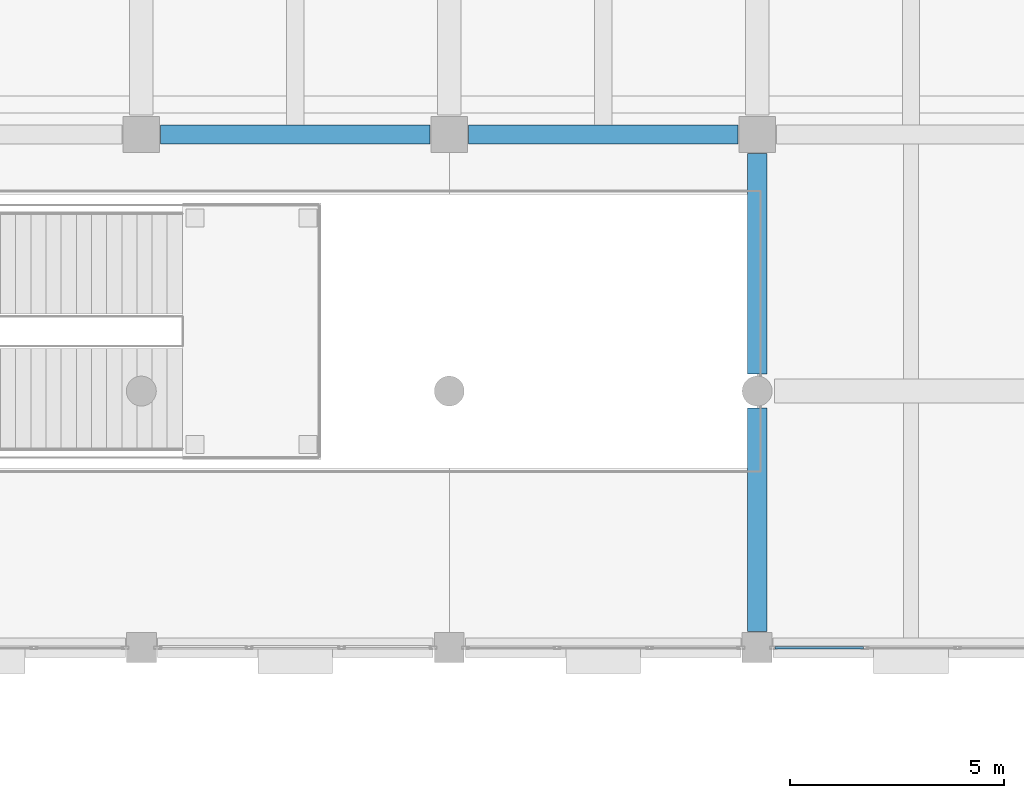
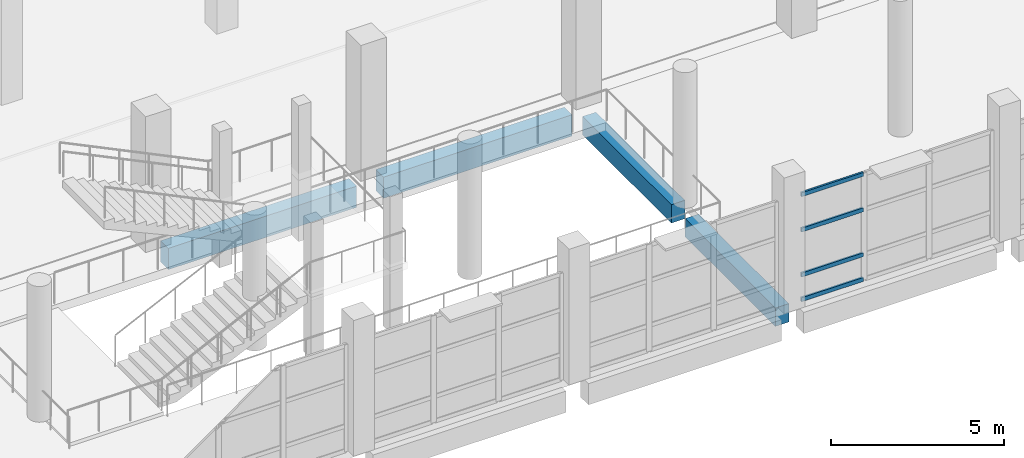
# One storey, part 36 of 91: 4 beams, 4 members, 1 element without a shape of its own.
"""IFC4 building model written with IfcOpenShell, lengths in metres."""

from ifc_helpers import new_model, si_unit, direction, frame, origin, origin_2d, place, context, subcontext, project, spatial, rectangle, hollow_rectangle, extrude, material, material_profile, profile_set, type_object, element, aggregate, save


model = new_model("IFC4")

# Units and contexts
model_context = context("Model", 3, precision=1e-05, world=origin(), true_north=direction((0.0, 1.0)))
body_context = subcontext(model_context, "Body", "Model", "MODEL_VIEW")
ifc_project = project(units=[si_unit("LENGTHUNIT", "METRE"), si_unit("AREAUNIT", "SQUARE_METRE"), si_unit("VOLUMEUNIT", "CUBIC_METRE"), si_unit("PLANEANGLEUNIT", "RADIAN"), si_unit("MASSUNIT", "GRAM", prefix="KILO")], contexts=[model_context])

# Site, building, storey
site_placement = place(None, origin())
site = spatial("IfcSite", under=ifc_project, at=site_placement, CompositionType="ELEMENT")
building_placement = place(site_placement, origin())
building = spatial("IfcBuilding", under=site, at=building_placement, Name="Pellamere Symphony Hall", CompositionType="ELEMENT")
storey_placement = place(building_placement, frame((0.0, 0.0, 5.39990234375)))
storey = spatial("IfcBuildingStorey", under=building, at=storey_placement, Name="L01", CompositionType="ELEMENT", Elevation=5.39990234375)

# Curtain wall, members
ifc_material_1 = material(Name="Thermally Broken Anodised Aluminium 6063-T6 Curtain Wall", Category="aluminium")
curtain_wall_type = type_object("IfcCurtainWallType", Name="Curtain Wall CW-02 (Winter-Garden South Concourse Curtain Wall)", PredefinedType="NOTDEFINED", material=ifc_material_1)
curtain_wall_placement = place(storey_placement, origin())
curtain_wall = element("IfcCurtainWall", 1, at=curtain_wall_placement, inside=storey, type_object=curtain_wall_type, Name="Winter-Garden South Curtain Wall (L01 Bay 8)", PredefinedType="NOTDEFINED")
ifc_material_2 = material(Name="Anodised Architectural Aluminium 6063-T6", Category="aluminium")
ifc_material_profile_1 = material_profile(ifc_material_2, hollow_rectangle(XDim=0.06494140625, YDim=0.139892578125, WallThickness=0.00390625, at=origin_2d()), Name="ALU-T65X140X4")
ifc_profile_set_1 = profile_set([ifc_material_profile_1], Name="Anodised Architectural Aluminium 6063-T6")
member_type = type_object("IfcMemberType", Name="Curtain Wall Transom TR-02 ALU-T65X140X4", PredefinedType="USERDEFINED", material=ifc_profile_set_1)
member_1_placement = place(storey_placement, frame((95.215087890625, 18.0, 0.03271484375), z_axis=(1.0, 0.0, 0.0), x_axis=(0.0, 1.0, 0.0)))
member_1 = element("IfcMember", 2, at=member_1_placement, type_object=member_type, Name="CW2-073 crystal transom 1.1", ObjectType="TRANSOM", PredefinedType="USERDEFINED", context=body_context, shape_type="SweptSolid", body=[
    extrude(hollow_rectangle(XDim=0.06494140625, YDim=0.139892578125, WallThickness=0.00390625, at=origin_2d()), origin(), (0.0, 0.0, 1.0), 2.069091796875),
])
member_2_placement = place(storey_placement, frame((95.215087890625, 18.0, 0.9072265625), z_axis=(1.0, 0.0, 0.0), x_axis=(0.0, 1.0, 0.0)))
member_2 = element("IfcMember", 3, at=member_2_placement, type_object=member_type, Name="CW2-073 crystal transom 1.2", ObjectType="TRANSOM", PredefinedType="USERDEFINED", context=body_context, shape_type="SweptSolid", body=[
    extrude(hollow_rectangle(XDim=0.06494140625, YDim=0.139892578125, WallThickness=0.00390625, at=origin_2d()), origin(), (0.0, 0.0, 1.0), 2.069091796875),
])
member_3_placement = place(storey_placement, frame((95.215087890625, 18.0, 2.494873046875), z_axis=(1.0, 0.0, 0.0), x_axis=(0.0, 1.0, 0.0)))
member_3 = element("IfcMember", 4, at=member_3_placement, type_object=member_type, Name="CW2-073 crystal transom 1.3", ObjectType="TRANSOM", PredefinedType="USERDEFINED", context=body_context, shape_type="SweptSolid", body=[
    extrude(hollow_rectangle(XDim=0.06494140625, YDim=0.139892578125, WallThickness=0.00390625, at=origin_2d()), origin(), (0.0, 0.0, 1.0), 2.069091796875),
])
member_4_placement = place(storey_placement, frame((95.215087890625, 18.0, 3.74755859375), z_axis=(1.0, 0.0, 0.0), x_axis=(0.0, 1.0, 0.0)))
member_4 = element("IfcMember", 5, at=member_4_placement, type_object=member_type, Name="CW2-073 crystal transom 1.4", ObjectType="TRANSOM", PredefinedType="USERDEFINED", context=body_context, shape_type="SweptSolid", body=[
    extrude(hollow_rectangle(XDim=0.06494140625, YDim=0.139892578125, WallThickness=0.00390625, at=origin_2d()), origin(), (0.0, 0.0, 1.0), 2.069091796875),
])
aggregate(curtain_wall, [member_1, member_2, member_3, member_4])

# Beams
ifc_material_3 = material(Name="Concrete 40 MPa", Category="concrete")
ifc_material_profile_2 = material_profile(ifc_material_3, rectangle(XDim=0.449951171875, YDim=0.64990234375, at=origin_2d()), Name="RC 450x650")
ifc_profile_set_2 = profile_set([ifc_material_profile_2], Name="Concrete 40 MPa")
beam_type_1 = type_object("IfcBeamType", Name="RC CB-08 450x650", PredefinedType="BEAM", material=ifc_profile_set_2)
beam_1_placement = place(storey_placement, frame((94.800048828125, 18.375, -0.60498046875), z_axis=(0.0, 1.0, 0.0), x_axis=(-1.0, 0.0, 0.0)))
element("IfcBeam", 6, at=beam_1_placement, inside=storey, type_object=beam_type_1, Name="Girder CB-08-Y0792 (L01)", PredefinedType="BEAM", context=body_context, shape_type="SweptSolid", body=[
    extrude(rectangle(XDim=0.449951171875, YDim=0.64990234375, at=origin_2d()), origin(), (0.0, 0.0, 1.0), 5.22509765625),
])
beam_2_placement = place(storey_placement, frame((94.800048828125, 24.39990234375, -0.60498046875), z_axis=(0.0, 1.0, 0.0), x_axis=(-1.0, 0.0, 0.0)))
element("IfcBeam", 7, at=beam_2_placement, inside=storey, type_object=beam_type_1, Name="Girder CB-08-Y0793 (L01)", PredefinedType="BEAM", context=body_context, shape_type="SweptSolid", body=[
    extrude(rectangle(XDim=0.449951171875, YDim=0.64990234375, at=origin_2d()), origin(), (0.0, 0.0, 1.0), 5.150146484375),
])
ifc_material_profile_3 = material_profile(ifc_material_3, rectangle(XDim=0.449951171875, YDim=0.75, at=origin_2d()), Name="RC 450x750")
ifc_profile_set_3 = profile_set([ifc_material_profile_3], Name="Concrete 40 MPa")
beam_type_2 = type_object("IfcBeamType", Name="RC CB-12 450x750", PredefinedType="SPANDREL", material=ifc_profile_set_3)
beam_3_placement = place(storey_placement, frame((80.85009765625, 30.0, -0.65478515625), z_axis=(1.0, 0.0, 0.0), x_axis=(0.0, 1.0, 0.0)))
element("IfcBeam", 8, at=beam_3_placement, inside=storey, type_object=beam_type_2, Name="Girder CB-12-X0584 (L01)", PredefinedType="SPANDREL", context=body_context, shape_type="SweptSolid", body=[
    extrude(rectangle(XDim=0.449951171875, YDim=0.75, at=origin_2d()), origin(), (0.0, 0.0, 1.0), 6.2998046875),
])
beam_4_placement = place(storey_placement, frame((88.050048828125, 30.0, -0.65478515625), z_axis=(1.0, 0.0, 0.0), x_axis=(0.0, 1.0, 0.0)))
element("IfcBeam", 9, at=beam_4_placement, inside=storey, type_object=beam_type_2, Name="Girder CB-12-X0585 (L01)", PredefinedType="SPANDREL", context=body_context, shape_type="SweptSolid", body=[
    extrude(rectangle(XDim=0.449951171875, YDim=0.75, at=origin_2d()), origin(), (0.0, 0.0, 1.0), 6.300048828125),
])

save(model, "model.ifc")
